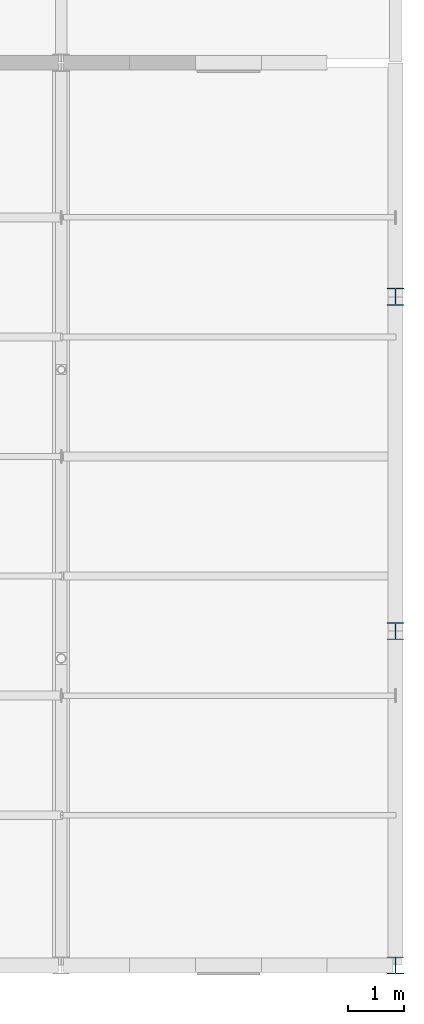
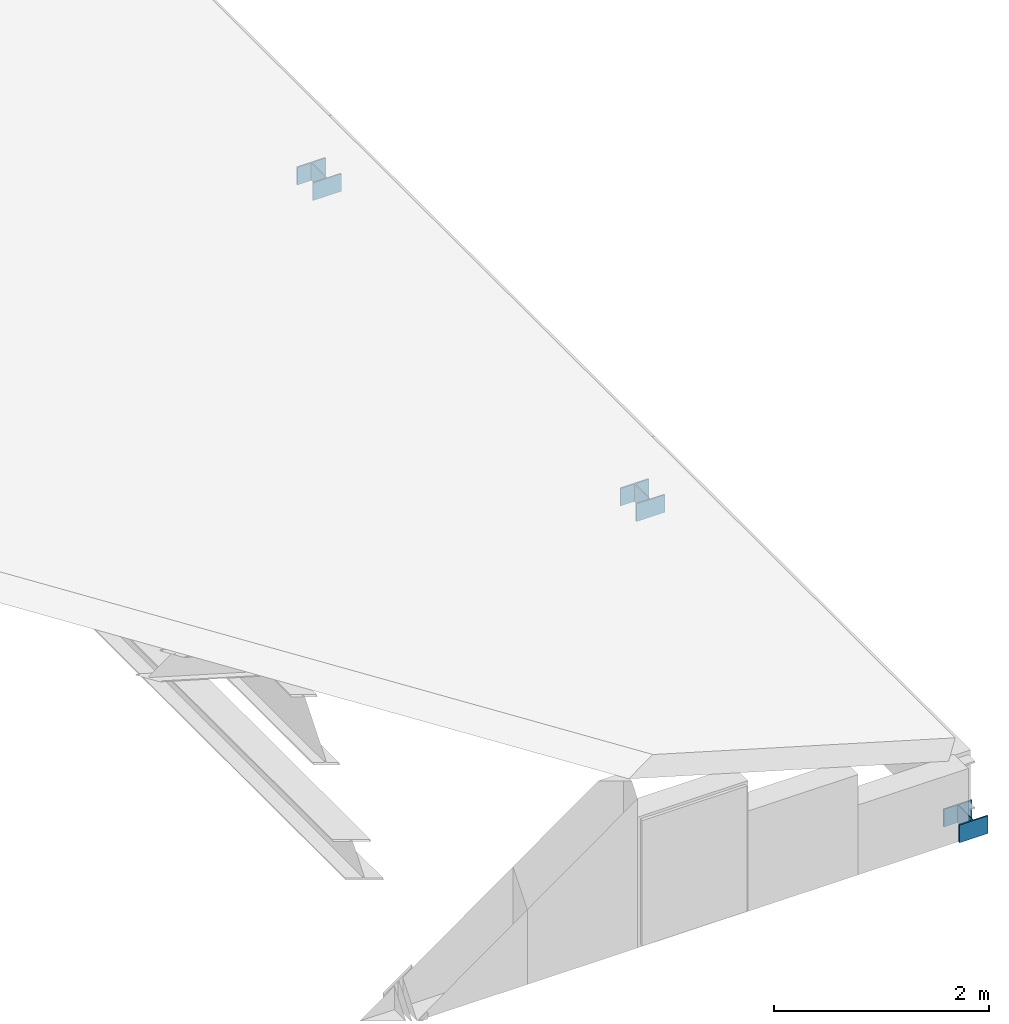
# One storey, part 37 of 74: 3 members.
"""IFC4 building model written with IfcOpenShell, lengths in metres."""

from ifc_helpers import new_model, si_unit, direction, frame, origin, origin_2d, place, context, subcontext, project, spatial, i_section, extrude, material, material_profile, profile_set, type_object, element, save


model = new_model("IFC4")

# Units and contexts
model_context = context("Model", 3, precision=1e-05, world=origin(), true_north=direction((0.0, 1.0)))
body_context = subcontext(model_context, "Body", "Model", "MODEL_VIEW")
ifc_project = project(units=[si_unit("LENGTHUNIT", "METRE"), si_unit("AREAUNIT", "SQUARE_METRE"), si_unit("VOLUMEUNIT", "CUBIC_METRE"), si_unit("PLANEANGLEUNIT", "RADIAN"), si_unit("MASSUNIT", "GRAM", prefix="KILO")], contexts=[model_context])

# Site, building, storey
site_placement = place(None, origin())
site = spatial("IfcSite", under=ifc_project, at=site_placement, CompositionType="ELEMENT")
building_placement = place(site_placement, origin())
building = spatial("IfcBuilding", under=site, at=building_placement, Name="Siltcreek Boulevard Central Fire Station", CompositionType="ELEMENT")
storey_placement = place(building_placement, frame((0.0, 0.0, 25.199951171875)))
storey = spatial("IfcBuildingStorey", under=building, at=storey_placement, Name="RF", CompositionType="ELEMENT", Elevation=25.199951171875)

# Members
ifc_material = material(Name="Structural steel ASTM A992 Gr50", Category="steel")
ifc_material_profile = material_profile(ifc_material, i_section(OverallWidth=0.304931640625, OverallDepth=0.30810546875, WebThickness=0.010009765625, FlangeThickness=0.015380859375, at=origin_2d()), Name="W310X97")
ifc_profile_set = profile_set([ifc_material_profile], Name="Structural steel ASTM A992 Gr50")
member_type = type_object("IfcMemberType", Name="CH_W310X97", PredefinedType="CHORD", material=ifc_profile_set)
for number, where, z_axis, x_axis, name in (
    (1, (166.199951171875, 1.800048828125, -15.199951171875), (0.0, 0.0, 1.0), (1.0, 0.0, 0.0), "Roof bearing truss post 0799"),
    (2, (166.199951171875, 7.800048828125, -15.199951171875), (0.0, 0.0, 1.0), (1.0, 0.0, 0.0), "Roof bearing truss post 0800"),
    (3, (166.199951171875, 13.800048828125, -15.199951171875), (0.0, 0.0, 1.0), (1.0, 0.0, 0.0), "Roof bearing truss post 0801"),
):
    element("IfcMember", number, at=place(storey_placement, frame(where, z_axis=z_axis, x_axis=x_axis)), inside=storey, type_object=member_type, Name=name, PredefinedType="CHORD", context=body_context, shape_type="SweptSolid", body=[
        extrude(i_section(OverallWidth=0.304931640625, OverallDepth=0.30810546875, WebThickness=0.010009765625, FlangeThickness=0.015380859375, at=origin_2d()), origin(), (0.0, 0.0, 1.0), 0.199951171875),
    ])

save(model, "model.ifc")
